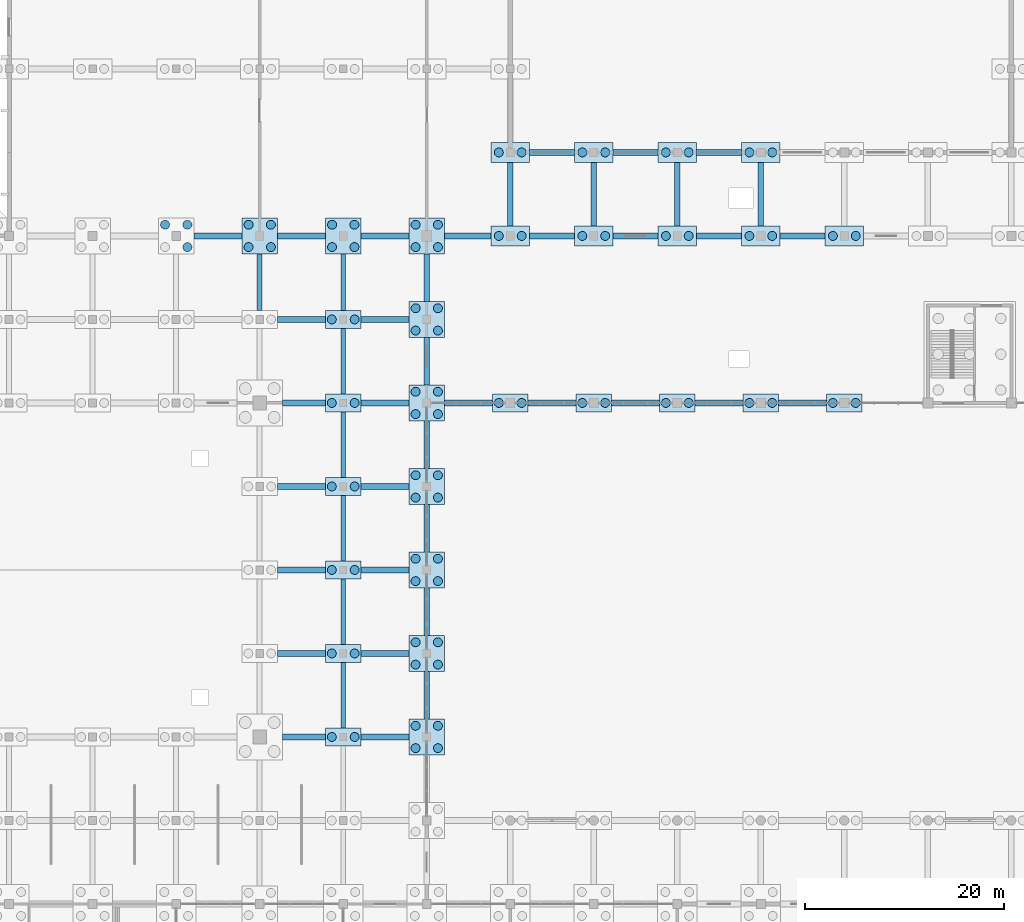
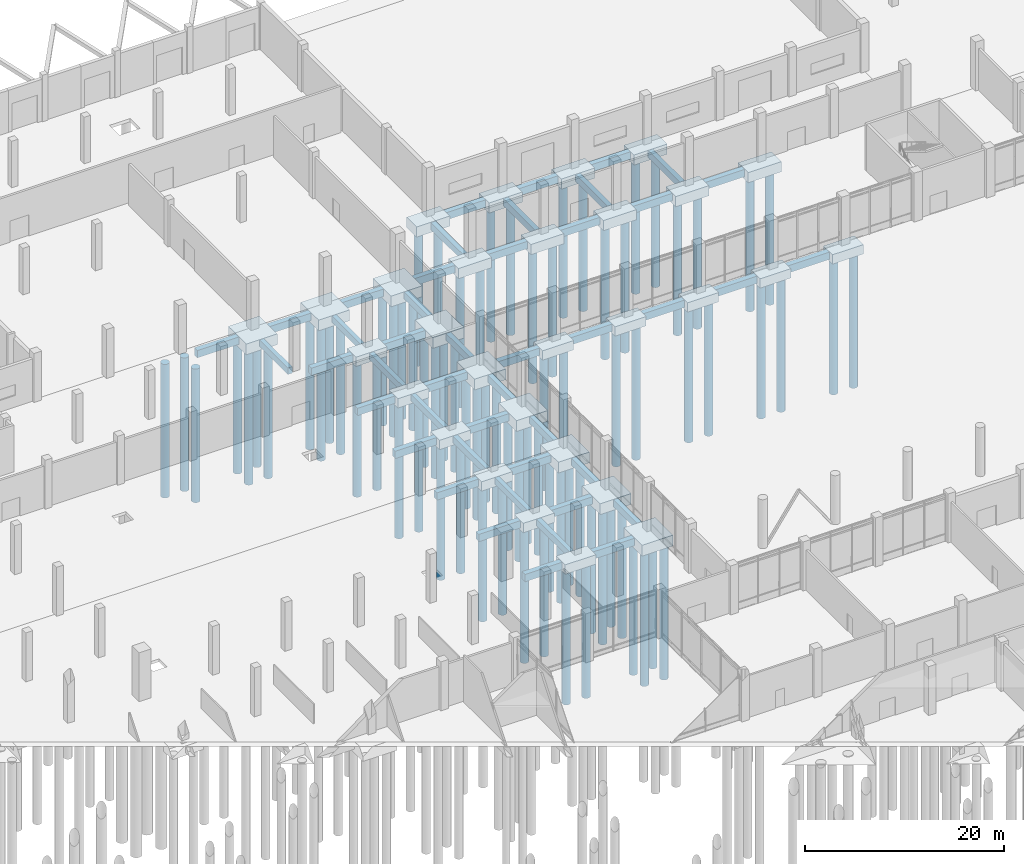
# One storey, part 6 of 72: 79 piles, 74 footings.
"""IFC4 building model written with IfcOpenShell, lengths in metres."""

import ifcopenshell
import ifcopenshell.guid

model = None  # the IFC model being written
_history = None  # IfcOwnerHistory: only IFC2X3 demands one
_inside = {}  # id of a spatial element -> (the spatial element, [elements in it])
_under = {}  # id of a project, library or spatial element -> (it, [spatial elements below it])
_declared = {}  # id of a project -> (the project, [libraries it declares])
_typed = {}  # id of a type object -> (the type object, [elements of that type])
_made_of = {}  # id of a material, layer set ... -> (it, [elements and type objects made of it])


def new_model(schema):
    """Start an empty IFC model of exactly this schema.

    Asked for "IFC4X3", IfcOpenShell would pick the latest addendum, in which some entities
    have other attributes; the version numbers below select the first issue.
    IFC2X3 requires an IfcOwnerHistory on every rooted entity: one is made here for all.
    """
    global model, _history
    if schema == "IFC4X3":
        model = ifcopenshell.file(schema_version=(4, 3, 0, 0))
    else:
        model = ifcopenshell.file(schema=schema)
    _inside.clear()
    _under.clear()
    _declared.clear()
    _typed.clear()
    _made_of.clear()
    _history = None
    if model.schema == "IFC2X3":
        org = make("IfcOrganization", Name="unknown")
        user = make(
            "IfcPersonAndOrganization",
            ThePerson=make("IfcPerson", FamilyName="unknown"),
            TheOrganization=org,
        )
        app = make(
            "IfcApplication",
            ApplicationDeveloper=org,
            Version="unknown",
            ApplicationFullName="unknown",
            ApplicationIdentifier="unknown",
        )
        _history = make(
            "IfcOwnerHistory",
            OwningUser=user,
            OwningApplication=app,
            ChangeAction="ADDED",
            CreationDate=0,
        )
    return model


def make(cls, **values):
    """One entity of the class cls with the attributes given. An attribute that is None is left unset."""
    return model.create_entity(
        cls, **{name: value for name, value in values.items() if value is not None}
    )


def rooted(cls, **values):
    """An entity with a GlobalId (a new one), such as an element, a storey or a relation."""
    return make(cls, GlobalId=ifcopenshell.guid.new(), OwnerHistory=_history, **values)


def si_unit(unit_type, name, prefix=None):
    """IfcSIUnit, for example si_unit("LENGTHUNIT", "METRE", prefix="MILLI")."""
    return make("IfcSIUnit", UnitType=unit_type, Prefix=prefix, Name=name)


def assignment(units):
    """IfcUnitAssignment: the units of a project."""
    return None if units is None else make("IfcUnitAssignment", Units=units)


def point(xyz):
    """IfcCartesianPoint."""
    return None if xyz is None else make("IfcCartesianPoint", Coordinates=xyz)


def direction(xyz):
    """IfcDirection."""
    return None if xyz is None else make("IfcDirection", DirectionRatios=xyz)


def frame(location, z_axis=None, x_axis=None):
    """IfcAxis2Placement3D, a coordinate frame: its origin and axes. An axis left out is left unset."""
    return make(
        "IfcAxis2Placement3D",
        Location=point(location),
        Axis=direction(z_axis),
        RefDirection=direction(x_axis),
    )


def frame_2d(location, x_axis=None):
    """IfcAxis2Placement2D, a coordinate frame in the plane: its origin and x axis."""
    return make(
        "IfcAxis2Placement2D", Location=point(location), RefDirection=direction(x_axis)
    )


def origin():
    """The frame at (0, 0, 0) with its axes left unset."""
    return frame((0.0, 0.0, 0.0))


def origin_2d():
    """The frame at (0, 0) in the plane with its x axis left unset."""
    return frame_2d((0.0, 0.0))


def place(relative_to, where):
    """IfcLocalPlacement: puts the frame where relative to a parent placement (None: the world)."""
    return make(
        "IfcLocalPlacement", PlacementRelTo=relative_to, RelativePlacement=where
    )


def context(
    kind, dimensions, precision=None, world=None, true_north=None, identifier=None
):
    """IfcGeometricRepresentationContext, for example the 3D "Model" context."""
    return make(
        "IfcGeometricRepresentationContext",
        ContextIdentifier=identifier,
        ContextType=kind,
        CoordinateSpaceDimension=dimensions,
        Precision=precision,
        WorldCoordinateSystem=world,
        TrueNorth=true_north,
    )


def subcontext(parent, identifier, kind, view, scale=None):
    """IfcGeometricRepresentationSubContext, for example "Body" below "Model"."""
    return make(
        "IfcGeometricRepresentationSubContext",
        ContextIdentifier=identifier,
        ContextType=kind,
        ParentContext=parent,
        TargetScale=scale,
        TargetView=view,
    )


def project(units=None, contexts=None):
    """IfcProject with its units and contexts."""
    return rooted(
        "IfcProject",
        Name="project",
        RepresentationContexts=contexts,
        UnitsInContext=assignment(units),
    )


def spatial(cls, under=None, at=None, **own):
    """A site, building, storey or space (cls), placed at a placement, below another one or the project."""
    s = rooted(cls, ObjectPlacement=at, **own)
    if under is not None:
        _under.setdefault(under.id(), (under, []))[1].append(s)
    return s


def profile(cls, at=None, kind="AREA", **sizes):
    """A parametric profile (cls). Its sizes go by their IFC names, for example OverallWidth=200.0."""
    return make(cls, ProfileType=kind, Position=at, **sizes)


def rectangle(**sizes):
    """IfcRectangleProfileDef."""
    return profile("IfcRectangleProfileDef", **sizes)


def circle(**sizes):
    """IfcCircleProfileDef."""
    return profile("IfcCircleProfileDef", **sizes)


def extrude(swept, where, along, depth):
    """IfcExtrudedAreaSolid: the profile swept, set in the frame where, extruded along a direction by depth."""
    return make(
        "IfcExtrudedAreaSolid",
        SweptArea=swept,
        Position=where,
        ExtrudedDirection=direction(along),
        Depth=depth,
    )


def shape(context_of_items, identifier, shape_type, items):
    """IfcShapeRepresentation: the items that make up one representation, for example the "Body"."""
    return make(
        "IfcShapeRepresentation",
        ContextOfItems=context_of_items,
        RepresentationIdentifier=identifier,
        RepresentationType=shape_type,
        Items=items,
    )


def material(Name=None, Category=None):
    """IfcMaterial."""
    return make("IfcMaterial", Name=Name, Category=Category)


def layer(
    of_material, thickness, ventilated=None, Name=None, Category=None, Priority=None
):
    """IfcMaterialLayer: one layer of a wall or slab, of a material (None: an air gap)."""
    return make(
        "IfcMaterialLayer",
        Material=of_material,
        LayerThickness=thickness,
        IsVentilated=ventilated,
        Name=Name,
        Category=Category,
        Priority=Priority,
    )


def layer_set(layers, Name=None):
    """IfcMaterialLayerSet."""
    return make("IfcMaterialLayerSet", MaterialLayers=layers, LayerSetName=Name)


def material_profile(
    of_material, cross_section, Name=None, Category=None, Priority=None
):
    """IfcMaterialProfile: a cross section and its material."""
    return make(
        "IfcMaterialProfile",
        Name=Name,
        Material=of_material,
        Profile=cross_section,
        Priority=Priority,
        Category=Category,
    )


def profile_set(profiles, Name=None, composite=None):
    """IfcMaterialProfileSet."""
    return make(
        "IfcMaterialProfileSet",
        Name=Name,
        MaterialProfiles=profiles,
        CompositeProfile=composite,
    )


def made_of(thing, what):
    """Note that an element or type object is made of a material, layer set ...; save() writes the relation."""
    if what is not None:
        _made_of.setdefault(what.id(), (what, []))[1].append(thing)
    return thing


def type_object(cls, material=None, **own):
    """A type object (cls), such as IfcWallType, which elements share."""
    return made_of(rooted(cls, **own), material)


def element(
    cls,
    number,
    at=None,
    inside=None,
    cuts=None,
    type_object=None,
    material=None,
    context=None,
    identifier="Body",
    shape_type=None,
    held_by="IfcProductDefinitionShape",
    body=None,
    shapes=None,
    **own,
):
    """One element of the class cls, such as IfcWall. Its Tag is "e" and its number.

    at: its placement. inside: the storey or other place that contains it. cuts: it is an
    opening in that element (IfcRelVoidsElement). A single representation is given by context,
    identifier, shape_type and body (its items); several are given by shapes. held_by: the class
    of the entity that holds the representations. save() writes the other relations.
    """
    e = rooted(cls, Tag="e%d" % number, ObjectPlacement=at, **own)
    if body is not None:
        shapes = [shape(context, identifier, shape_type, body)]
    if shapes is not None:
        e.Representation = make(held_by, Representations=shapes)
    if inside is not None:
        _inside.setdefault(inside.id(), (inside, []))[1].append(e)
    if cuts is not None:
        rooted(
            "IfcRelVoidsElement", RelatingBuildingElement=cuts, RelatedOpeningElement=e
        )
    if type_object is not None:
        _typed.setdefault(type_object.id(), (type_object, []))[1].append(e)
    return made_of(e, material)


def aggregate(whole, parts):
    """IfcRelAggregates: a whole, such as a stair, and the parts it consists of."""
    return rooted("IfcRelAggregates", RelatingObject=whole, RelatedObjects=parts)


def save(model, path):
    """Write the relations noted so far, then the file.

    IfcRelAggregates (storeys below a building ...), IfcRelContainedInSpatialStructure (elements
    in a storey), IfcRelDefinesByType, IfcRelAssociatesMaterial and IfcRelDeclares: one each for
    every whole, place, type object, material and project.
    """
    for whole, parts in _under.values():
        aggregate(whole, parts)
    for where, things in _inside.values():
        rooted(
            "IfcRelContainedInSpatialStructure",
            RelatedElements=things,
            RelatingStructure=where,
        )
    for kind, things in _typed.values():
        rooted("IfcRelDefinesByType", RelatedObjects=things, RelatingType=kind)
    for what, things in _made_of.values():
        rooted("IfcRelAssociatesMaterial", RelatedObjects=things, RelatingMaterial=what)
    for by, libraries in _declared.values():
        rooted("IfcRelDeclares", RelatingContext=by, RelatedDefinitions=libraries)
    model.write(path)


model = new_model("IFC4")

# Units and contexts
model_context = context("Model", 3, precision=1e-05, world=origin(), true_north=direction((0.0, 1.0)))
body_context = subcontext(model_context, "Body", "Model", "MODEL_VIEW")
ifc_project = project(units=[si_unit("LENGTHUNIT", "METRE"), si_unit("AREAUNIT", "SQUARE_METRE"), si_unit("VOLUMEUNIT", "CUBIC_METRE"), si_unit("PLANEANGLEUNIT", "RADIAN"), si_unit("MASSUNIT", "GRAM", prefix="KILO")], contexts=[model_context])

# Site, building, storey
site_placement = place(None, origin())
site = spatial("IfcSite", under=ifc_project, at=site_placement, CompositionType="ELEMENT")
building_placement = place(site_placement, origin())
building = spatial("IfcBuilding", under=site, at=building_placement, Name="Qawsi Khor Wholesale Market", CompositionType="ELEMENT")
storey_placement = place(building_placement, origin())
storey = spatial("IfcBuildingStorey", under=building, at=storey_placement, Name="L00", CompositionType="ELEMENT", Elevation=0.0)

# Piles
ifc_material = material(Name="Concrete C45/55", Category="concrete")
ifc_material_profile_1 = material_profile(ifc_material, circle(Radius=0.449951171875, at=origin_2d()), Name="PILE D900")
ifc_profile_set_1 = profile_set([ifc_material_profile_1], Name="Concrete C45/55")
pile_type = type_object("IfcPileType", Name="Bored Pile D900 C45/55", PredefinedType="BORED", material=ifc_profile_set_1)
for number, where, z_axis, x_axis, name in (
    (1, (51.52490234375, 108.074951171875, -1.610107421875), (0.0, 0.0, -1.0), (1.0, 0.0, 0.0), "Bored pile 06_+13-2"),
    (2, (49.27490234375, 110.324951171875, -1.610107421875), (0.0, 0.0, -1.0), (1.0, 0.0, 0.0), "Bored pile 06_+13-3"),
    (3, (51.52490234375, 110.324951171875, -1.610107421875), (0.0, 0.0, -1.0), (1.0, 0.0, 0.0), "Bored pile 06_+13-4"),
    (4, (57.675048828125, 108.074951171875, -1.610107421875), (0.0, 0.0, -1.0), (1.0, 0.0, 0.0), "Bored pile 07_+13-1"),
    (5, (59.925048828125, 108.074951171875, -1.610107421875), (0.0, 0.0, -1.0), (1.0, 0.0, 0.0), "Bored pile 07_+13-2"),
    (6, (57.675048828125, 110.324951171875, -1.610107421875), (0.0, 0.0, -1.0), (1.0, 0.0, 0.0), "Bored pile 07_+13-3"),
    (7, (59.925048828125, 110.324951171875, -1.610107421875), (0.0, 0.0, -1.0), (1.0, 0.0, 0.0), "Bored pile 07_+13-4"),
):
    element("IfcPile", number, at=place(storey_placement, frame(where, z_axis=z_axis, x_axis=x_axis)), inside=storey, type_object=pile_type, Name=name, PredefinedType="BORED", context=body_context, shape_type="SweptSolid", body=[
        extrude(circle(Radius=0.449951171875, at=origin_2d()), origin(), (0.0, 0.0, 1.0), 16.389892578125),
    ])
for number, where, z_axis, x_axis, name in (
    (8, (66.050048828125, 58.800048828125, -1.5), (0.0, 0.0, -1.0), (1.0, 0.0, 0.0), "Bored pile 08_+07-1"),
    (9, (68.35009765625, 58.800048828125, -1.5), (0.0, 0.0, -1.0), (1.0, 0.0, 0.0), "Bored pile 08_+07-2"),
    (10, (66.050048828125, 67.199951171875, -1.5), (0.0, 0.0, -1.0), (1.0, 0.0, 0.0), "Bored pile 08_+08-1"),
    (11, (68.35009765625, 67.199951171875, -1.5), (0.0, 0.0, -1.0), (1.0, 0.0, 0.0), "Bored pile 08_+08-2"),
    (12, (66.050048828125, 75.60009765625, -1.5), (0.0, 0.0, -1.0), (1.0, 0.0, 0.0), "Bored pile 08_+09-1"),
    (13, (68.35009765625, 75.60009765625, -1.5), (0.0, 0.0, -1.0), (1.0, 0.0, 0.0), "Bored pile 08_+09-2"),
    (14, (66.050048828125, 84.0, -1.5), (0.0, 0.0, -1.0), (1.0, 0.0, 0.0), "Bored pile 08_+10-1"),
    (15, (68.35009765625, 84.0, -1.5), (0.0, 0.0, -1.0), (1.0, 0.0, 0.0), "Bored pile 08_+10-2"),
    (16, (66.050048828125, 92.39990234375, -1.5), (0.0, 0.0, -1.0), (1.0, 0.0, 0.0), "Bored pile 08_+11-1"),
    (17, (68.35009765625, 92.39990234375, -1.5), (0.0, 0.0, -1.0), (1.0, 0.0, 0.0), "Bored pile 08_+11-2"),
    (18, (66.050048828125, 100.800048828125, -1.5), (0.0, 0.0, -1.0), (1.0, 0.0, 0.0), "Bored pile 08_+12-1"),
    (19, (68.35009765625, 100.800048828125, -1.5), (0.0, 0.0, -1.0), (1.0, 0.0, 0.0), "Bored pile 08_+12-2"),
):
    element("IfcPile", number, at=place(storey_placement, frame(where, z_axis=z_axis, x_axis=x_axis)), inside=storey, type_object=pile_type, Name=name, PredefinedType="BORED", context=body_context, shape_type="SweptSolid", body=[
        extrude(circle(Radius=0.449951171875, at=origin_2d()), origin(), (0.0, 0.0, 1.0), 16.5),
    ])
for number, where, z_axis, x_axis, name in (
    (20, (66.074951171875, 108.074951171875, -1.610107421875), (0.0, 0.0, -1.0), (1.0, 0.0, 0.0), "Bored pile 08_+13-1"),
    (21, (68.324951171875, 108.074951171875, -1.610107421875), (0.0, 0.0, -1.0), (1.0, 0.0, 0.0), "Bored pile 08_+13-2"),
    (22, (66.074951171875, 110.324951171875, -1.610107421875), (0.0, 0.0, -1.0), (1.0, 0.0, 0.0), "Bored pile 08_+13-3"),
    (23, (68.324951171875, 110.324951171875, -1.610107421875), (0.0, 0.0, -1.0), (1.0, 0.0, 0.0), "Bored pile 08_+13-4"),
    (24, (74.47509765625, 57.675048828125, -1.610107421875), (0.0, 0.0, -1.0), (1.0, 0.0, 0.0), "Bored pile 09_+07-1"),
    (25, (76.72509765625, 57.675048828125, -1.610107421875), (0.0, 0.0, -1.0), (1.0, 0.0, 0.0), "Bored pile 09_+07-2"),
    (26, (74.47509765625, 59.925048828125, -1.610107421875), (0.0, 0.0, -1.0), (1.0, 0.0, 0.0), "Bored pile 09_+07-3"),
    (27, (76.72509765625, 59.925048828125, -1.610107421875), (0.0, 0.0, -1.0), (1.0, 0.0, 0.0), "Bored pile 09_+07-4"),
    (28, (74.47509765625, 66.074951171875, -1.610107421875), (0.0, 0.0, -1.0), (1.0, 0.0, 0.0), "Bored pile 09_+08-1"),
    (29, (76.72509765625, 66.074951171875, -1.610107421875), (0.0, 0.0, -1.0), (1.0, 0.0, 0.0), "Bored pile 09_+08-2"),
    (30, (74.47509765625, 68.324951171875, -1.610107421875), (0.0, 0.0, -1.0), (1.0, 0.0, 0.0), "Bored pile 09_+08-3"),
    (31, (76.72509765625, 68.324951171875, -1.610107421875), (0.0, 0.0, -1.0), (1.0, 0.0, 0.0), "Bored pile 09_+08-4"),
    (32, (74.47509765625, 74.47509765625, -1.610107421875), (0.0, 0.0, -1.0), (1.0, 0.0, 0.0), "Bored pile 09_+09-1"),
    (33, (76.72509765625, 74.47509765625, -1.610107421875), (0.0, 0.0, -1.0), (1.0, 0.0, 0.0), "Bored pile 09_+09-2"),
    (34, (74.47509765625, 76.72509765625, -1.610107421875), (0.0, 0.0, -1.0), (1.0, 0.0, 0.0), "Bored pile 09_+09-3"),
    (35, (76.72509765625, 76.72509765625, -1.610107421875), (0.0, 0.0, -1.0), (1.0, 0.0, 0.0), "Bored pile 09_+09-4"),
    (36, (74.47509765625, 82.875, -1.610107421875), (0.0, 0.0, -1.0), (1.0, 0.0, 0.0), "Bored pile 09_+10-1"),
    (37, (76.72509765625, 82.875, -1.610107421875), (0.0, 0.0, -1.0), (1.0, 0.0, 0.0), "Bored pile 09_+10-2"),
    (38, (74.47509765625, 85.125, -1.610107421875), (0.0, 0.0, -1.0), (1.0, 0.0, 0.0), "Bored pile 09_+10-3"),
    (39, (76.72509765625, 85.125, -1.610107421875), (0.0, 0.0, -1.0), (1.0, 0.0, 0.0), "Bored pile 09_+10-4"),
    (40, (74.47509765625, 91.27490234375, -1.610107421875), (0.0, 0.0, -1.0), (1.0, 0.0, 0.0), "Bored pile 09_+11-1"),
    (41, (76.72509765625, 91.27490234375, -1.610107421875), (0.0, 0.0, -1.0), (1.0, 0.0, 0.0), "Bored pile 09_+11-2"),
    (42, (74.47509765625, 93.52490234375, -1.610107421875), (0.0, 0.0, -1.0), (1.0, 0.0, 0.0), "Bored pile 09_+11-3"),
    (43, (76.72509765625, 93.52490234375, -1.610107421875), (0.0, 0.0, -1.0), (1.0, 0.0, 0.0), "Bored pile 09_+11-4"),
    (44, (74.47509765625, 99.675048828125, -1.610107421875), (0.0, 0.0, -1.0), (1.0, 0.0, 0.0), "Bored pile 09_+12-1"),
    (45, (76.72509765625, 99.675048828125, -1.610107421875), (0.0, 0.0, -1.0), (1.0, 0.0, 0.0), "Bored pile 09_+12-2"),
    (46, (74.47509765625, 101.925048828125, -1.610107421875), (0.0, 0.0, -1.0), (1.0, 0.0, 0.0), "Bored pile 09_+12-3"),
    (47, (76.72509765625, 101.925048828125, -1.610107421875), (0.0, 0.0, -1.0), (1.0, 0.0, 0.0), "Bored pile 09_+12-4"),
    (48, (74.47509765625, 108.074951171875, -1.610107421875), (0.0, 0.0, -1.0), (1.0, 0.0, 0.0), "Bored pile 09_+13-1"),
    (49, (76.72509765625, 108.074951171875, -1.610107421875), (0.0, 0.0, -1.0), (1.0, 0.0, 0.0), "Bored pile 09_+13-2"),
    (50, (74.47509765625, 110.324951171875, -1.610107421875), (0.0, 0.0, -1.0), (1.0, 0.0, 0.0), "Bored pile 09_+13-3"),
    (51, (76.72509765625, 110.324951171875, -1.610107421875), (0.0, 0.0, -1.0), (1.0, 0.0, 0.0), "Bored pile 09_+13-4"),
):
    element("IfcPile", number, at=place(storey_placement, frame(where, z_axis=z_axis, x_axis=x_axis)), inside=storey, type_object=pile_type, Name=name, PredefinedType="BORED", context=body_context, shape_type="SweptSolid", body=[
        extrude(circle(Radius=0.449951171875, at=origin_2d()), origin(), (0.0, 0.0, 1.0), 16.389892578125),
    ])
for number, where, z_axis, x_axis, name in (
    (52, (82.85009765625, 92.39990234375, -1.5), (0.0, 0.0, -1.0), (1.0, 0.0, 0.0), "Bored pile 10_+11-1"),
    (53, (85.14990234375, 92.39990234375, -1.5), (0.0, 0.0, -1.0), (1.0, 0.0, 0.0), "Bored pile 10_+11-2"),
    (54, (82.85009765625, 109.199951171875, -1.5), (0.0, 0.0, -1.0), (1.0, 0.0, 0.0), "Bored pile 10_+13-1"),
    (55, (85.14990234375, 109.199951171875, -1.5), (0.0, 0.0, -1.0), (1.0, 0.0, 0.0), "Bored pile 10_+13-2"),
    (56, (82.85009765625, 117.60009765625, -1.5), (0.0, 0.0, -1.0), (1.0, 0.0, 0.0), "Bored pile 10_+14-1"),
    (57, (85.14990234375, 117.60009765625, -1.5), (0.0, 0.0, -1.0), (1.0, 0.0, 0.0), "Bored pile 10_+14-2"),
    (58, (91.25, 92.39990234375, -1.5), (0.0, 0.0, -1.0), (1.0, 0.0, 0.0), "Bored pile 11_+11-1"),
    (59, (93.550048828125, 92.39990234375, -1.5), (0.0, 0.0, -1.0), (1.0, 0.0, 0.0), "Bored pile 11_+11-2"),
    (60, (91.25, 109.199951171875, -1.5), (0.0, 0.0, -1.0), (1.0, 0.0, 0.0), "Bored pile 11_+13-1"),
    (61, (93.550048828125, 109.199951171875, -1.5), (0.0, 0.0, -1.0), (1.0, 0.0, 0.0), "Bored pile 11_+13-2"),
    (62, (91.25, 117.60009765625, -1.5), (0.0, 0.0, -1.0), (1.0, 0.0, 0.0), "Bored pile 11_+14-1"),
    (63, (93.550048828125, 117.60009765625, -1.5), (0.0, 0.0, -1.0), (1.0, 0.0, 0.0), "Bored pile 11_+14-2"),
    (64, (99.64990234375, 92.39990234375, -1.5), (0.0, 0.0, -1.0), (1.0, 0.0, 0.0), "Bored pile 12_+11-1"),
    (65, (101.949951171875, 92.39990234375, -1.5), (0.0, 0.0, -1.0), (1.0, 0.0, 0.0), "Bored pile 12_+11-2"),
    (66, (99.64990234375, 109.199951171875, -1.5), (0.0, 0.0, -1.0), (1.0, 0.0, 0.0), "Bored pile 12_+13-1"),
    (67, (101.949951171875, 109.199951171875, -1.5), (0.0, 0.0, -1.0), (1.0, 0.0, 0.0), "Bored pile 12_+13-2"),
    (68, (99.64990234375, 117.60009765625, -1.5), (0.0, 0.0, -1.0), (1.0, 0.0, 0.0), "Bored pile 12_+14-1"),
    (69, (101.949951171875, 117.60009765625, -1.5), (0.0, 0.0, -1.0), (1.0, 0.0, 0.0), "Bored pile 12_+14-2"),
    (70, (108.050048828125, 92.39990234375, -1.5), (0.0, 0.0, -1.0), (1.0, 0.0, 0.0), "Bored pile 13_+11-1"),
    (71, (110.35009765625, 92.39990234375, -1.5), (0.0, 0.0, -1.0), (1.0, 0.0, 0.0), "Bored pile 13_+11-2"),
    (72, (108.050048828125, 109.199951171875, -1.5), (0.0, 0.0, -1.0), (1.0, 0.0, 0.0), "Bored pile 13_+13-1"),
    (73, (110.35009765625, 109.199951171875, -1.5), (0.0, 0.0, -1.0), (1.0, 0.0, 0.0), "Bored pile 13_+13-2"),
    (74, (108.050048828125, 117.60009765625, -1.5), (0.0, 0.0, -1.0), (1.0, 0.0, 0.0), "Bored pile 13_+14-1"),
    (75, (110.35009765625, 117.60009765625, -1.5), (0.0, 0.0, -1.0), (1.0, 0.0, 0.0), "Bored pile 13_+14-2"),
    (76, (116.449951171875, 92.39990234375, -1.5), (0.0, 0.0, -1.0), (1.0, 0.0, 0.0), "Bored pile 14_+11-1"),
    (77, (118.75, 92.39990234375, -1.5), (0.0, 0.0, -1.0), (1.0, 0.0, 0.0), "Bored pile 14_+11-2"),
    (78, (116.449951171875, 109.199951171875, -1.5), (0.0, 0.0, -1.0), (1.0, 0.0, 0.0), "Bored pile 14_+13-1"),
    (79, (118.75, 109.199951171875, -1.5), (0.0, 0.0, -1.0), (1.0, 0.0, 0.0), "Bored pile 14_+13-2"),
):
    element("IfcPile", number, at=place(storey_placement, frame(where, z_axis=z_axis, x_axis=x_axis)), inside=storey, type_object=pile_type, Name=name, PredefinedType="BORED", context=body_context, shape_type="SweptSolid", body=[
        extrude(circle(Radius=0.449951171875, at=origin_2d()), origin(), (0.0, 0.0, 1.0), 16.5),
    ])

# Footings
ifc_material_profile_2 = material_profile(ifc_material, rectangle(XDim=0.60009765625, YDim=0.89990234375, at=origin_2d()), Name="RC 600x900")
ifc_profile_set_2 = profile_set([ifc_material_profile_2], Name="Concrete C45/55")
footing_type_1 = type_object("IfcFootingType", Name="Ground Tie-Beam GTB 600x900", PredefinedType="FOOTING_BEAM", material=ifc_profile_set_2)
footing_1_placement = place(storey_placement, frame((52.199951171875, 109.199951171875, -0.840087890625), z_axis=(1.0, 0.0, 0.0), x_axis=(0.0, 1.0, 0.0)))
element("IfcFooting", 80, at=footing_1_placement, inside=storey, type_object=footing_type_1, Name="Ground tie-beam X 6-7 at Y=109.2", PredefinedType="FOOTING_BEAM", context=body_context, shape_type="SweptSolid", body=[
    extrude(rectangle(XDim=0.60009765625, YDim=0.89990234375, at=origin_2d()), origin(), (0.0, 0.0, 1.0), 4.800048828125),
])
footing_2_placement = place(storey_placement, frame((61.10009765625, 58.800048828125, -0.840087890625), z_axis=(1.0, 0.0, 0.0), x_axis=(0.0, 1.0, 0.0)))
element("IfcFooting", 81, at=footing_2_placement, inside=storey, type_object=footing_type_1, Name="Ground tie-beam X 7-8 at Y=58.8", PredefinedType="FOOTING_BEAM", context=body_context, shape_type="SweptSolid", body=[
    extrude(rectangle(XDim=0.60009765625, YDim=0.89990234375, at=origin_2d()), origin(), (0.0, 0.0, 1.0), 4.2998046875),
])
for number, where, z_axis, x_axis, name in (
    (82, (60.60009765625, 67.199951171875, -0.840087890625), (1.0, 0.0, 0.0), (0.0, 1.0, 0.0), "Ground tie-beam X 7-8 at Y=67.2"),
    (83, (60.60009765625, 75.60009765625, -0.840087890625), (1.0, 0.0, 0.0), (0.0, 1.0, 0.0), "Ground tie-beam X 7-8 at Y=75.6"),
    (84, (60.60009765625, 84.0, -0.840087890625), (1.0, 0.0, 0.0), (0.0, 1.0, 0.0), "Ground tie-beam X 7-8 at Y=84.0"),
):
    element("IfcFooting", number, at=place(storey_placement, frame(where, z_axis=z_axis, x_axis=x_axis)), inside=storey, type_object=footing_type_1, Name=name, PredefinedType="FOOTING_BEAM", context=body_context, shape_type="SweptSolid", body=[
        extrude(rectangle(XDim=0.60009765625, YDim=0.89990234375, at=origin_2d()), origin(), (0.0, 0.0, 1.0), 4.7998046875),
    ])
footing_3_placement = place(storey_placement, frame((61.10009765625, 92.39990234375, -0.840087890625), z_axis=(1.0, 0.0, 0.0), x_axis=(0.0, 1.0, 0.0)))
element("IfcFooting", 85, at=footing_3_placement, inside=storey, type_object=footing_type_1, Name="Ground tie-beam X 7-8 at Y=92.4", PredefinedType="FOOTING_BEAM", context=body_context, shape_type="SweptSolid", body=[
    extrude(rectangle(XDim=0.60009765625, YDim=0.89990234375, at=origin_2d()), origin(), (0.0, 0.0, 1.0), 4.2998046875),
])
for number, where, z_axis, x_axis, name in (
    (86, (60.60009765625, 100.800048828125, -0.840087890625), (1.0, 0.0, 0.0), (0.0, 1.0, 0.0), "Ground tie-beam X 7-8 at Y=100.8"),
    (87, (60.60009765625, 109.199951171875, -0.840087890625), (1.0, 0.0, 0.0), (0.0, 1.0, 0.0), "Ground tie-beam X 7-8 at Y=109.2"),
):
    element("IfcFooting", number, at=place(storey_placement, frame(where, z_axis=z_axis, x_axis=x_axis)), inside=storey, type_object=footing_type_1, Name=name, PredefinedType="FOOTING_BEAM", context=body_context, shape_type="SweptSolid", body=[
        extrude(rectangle(XDim=0.60009765625, YDim=0.89990234375, at=origin_2d()), origin(), (0.0, 0.0, 1.0), 4.7998046875),
    ])
for number, where, z_axis, x_axis, name in (
    (88, (69.0, 58.800048828125, -0.840087890625), (1.0, 0.0, 0.0), (0.0, 1.0, 0.0), "Ground tie-beam X 8-9 at Y=58.8"),
    (89, (69.0, 67.199951171875, -0.840087890625), (1.0, 0.0, 0.0), (0.0, 1.0, 0.0), "Ground tie-beam X 8-9 at Y=67.2"),
    (90, (69.0, 75.60009765625, -0.840087890625), (1.0, 0.0, 0.0), (0.0, 1.0, 0.0), "Ground tie-beam X 8-9 at Y=75.6"),
    (91, (69.0, 84.0, -0.840087890625), (1.0, 0.0, 0.0), (0.0, 1.0, 0.0), "Ground tie-beam X 8-9 at Y=84.0"),
    (92, (69.0, 92.39990234375, -0.840087890625), (1.0, 0.0, 0.0), (0.0, 1.0, 0.0), "Ground tie-beam X 8-9 at Y=92.4"),
    (93, (69.0, 100.800048828125, -0.840087890625), (1.0, 0.0, 0.0), (0.0, 1.0, 0.0), "Ground tie-beam X 8-9 at Y=100.8"),
    (94, (69.0, 109.199951171875, -0.840087890625), (1.0, 0.0, 0.0), (0.0, 1.0, 0.0), "Ground tie-beam X 8-9 at Y=109.2"),
    (95, (77.39990234375, 92.39990234375, -0.840087890625), (1.0, 0.0, 0.0), (0.0, 1.0, 0.0), "Ground tie-beam X 9-10 at Y=92.4"),
):
    element("IfcFooting", number, at=place(storey_placement, frame(where, z_axis=z_axis, x_axis=x_axis)), inside=storey, type_object=footing_type_1, Name=name, PredefinedType="FOOTING_BEAM", context=body_context, shape_type="SweptSolid", body=[
        extrude(rectangle(XDim=0.60009765625, YDim=0.89990234375, at=origin_2d()), origin(), (0.0, 0.0, 1.0), 4.800048828125),
    ])
footing_4_placement = place(storey_placement, frame((77.39990234375, 109.199951171875, -0.840087890625), z_axis=(1.0, 0.0, 0.0), x_axis=(0.0, 1.0, 0.0)))
element("IfcFooting", 96, at=footing_4_placement, inside=storey, type_object=footing_type_1, Name="Ground tie-beam X 9-10 at Y=109.2", PredefinedType="FOOTING_BEAM", context=body_context, shape_type="SweptSolid", body=[
    extrude(rectangle(XDim=0.60009765625, YDim=0.89990234375, at=origin_2d()), origin(), (0.0, 0.0, 1.0), 4.675048828125),
])
footing_5_placement = place(storey_placement, frame((85.800048828125, 92.39990234375, -0.840087890625), z_axis=(1.0, 0.0, 0.0), x_axis=(0.0, 1.0, 0.0)))
element("IfcFooting", 97, at=footing_5_placement, inside=storey, type_object=footing_type_1, Name="Ground tie-beam X 10-11 at Y=92.4", PredefinedType="FOOTING_BEAM", context=body_context, shape_type="SweptSolid", body=[
    extrude(rectangle(XDim=0.60009765625, YDim=0.89990234375, at=origin_2d()), origin(), (0.0, 0.0, 1.0), 4.800048828125),
])
for number, where, z_axis, x_axis, name in (
    (98, (85.925048828125, 109.199951171875, -0.840087890625), (1.0, 0.0, 0.0), (0.0, 1.0, 0.0), "Ground tie-beam X 10-11 at Y=109.2"),
    (99, (85.925048828125, 117.60009765625, -0.840087890625), (1.0, 0.0, 0.0), (0.0, 1.0, 0.0), "Ground tie-beam X 10-11 at Y=117.6"),
):
    element("IfcFooting", number, at=place(storey_placement, frame(where, z_axis=z_axis, x_axis=x_axis)), inside=storey, type_object=footing_type_1, Name=name, PredefinedType="FOOTING_BEAM", context=body_context, shape_type="SweptSolid", body=[
        extrude(rectangle(XDim=0.60009765625, YDim=0.89990234375, at=origin_2d()), origin(), (0.0, 0.0, 1.0), 4.550048828125),
    ])
footing_6_placement = place(storey_placement, frame((94.199951171875, 92.39990234375, -0.840087890625), z_axis=(1.0, 0.0, 0.0), x_axis=(0.0, 1.0, 0.0)))
element("IfcFooting", 100, at=footing_6_placement, inside=storey, type_object=footing_type_1, Name="Ground tie-beam X 11-12 at Y=92.4", PredefinedType="FOOTING_BEAM", context=body_context, shape_type="SweptSolid", body=[
    extrude(rectangle(XDim=0.60009765625, YDim=0.89990234375, at=origin_2d()), origin(), (0.0, 0.0, 1.0), 4.800048828125),
])
for number, where, z_axis, x_axis, name in (
    (101, (94.324951171875, 109.199951171875, -0.840087890625), (1.0, 0.0, 0.0), (0.0, 1.0, 0.0), "Ground tie-beam X 11-12 at Y=109.2"),
    (102, (94.324951171875, 117.60009765625, -0.840087890625), (1.0, 0.0, 0.0), (0.0, 1.0, 0.0), "Ground tie-beam X 11-12 at Y=117.6"),
):
    element("IfcFooting", number, at=place(storey_placement, frame(where, z_axis=z_axis, x_axis=x_axis)), inside=storey, type_object=footing_type_1, Name=name, PredefinedType="FOOTING_BEAM", context=body_context, shape_type="SweptSolid", body=[
        extrude(rectangle(XDim=0.60009765625, YDim=0.89990234375, at=origin_2d()), origin(), (0.0, 0.0, 1.0), 4.550048828125),
    ])
footing_7_placement = place(storey_placement, frame((102.60009765625, 92.39990234375, -0.840087890625), z_axis=(1.0, 0.0, 0.0), x_axis=(0.0, 1.0, 0.0)))
element("IfcFooting", 103, at=footing_7_placement, inside=storey, type_object=footing_type_1, Name="Ground tie-beam X 12-13 at Y=92.4", PredefinedType="FOOTING_BEAM", context=body_context, shape_type="SweptSolid", body=[
    extrude(rectangle(XDim=0.60009765625, YDim=0.89990234375, at=origin_2d()), origin(), (0.0, 0.0, 1.0), 4.7998046875),
])
for number, where, z_axis, x_axis, name in (
    (104, (102.72509765625, 109.199951171875, -0.840087890625), (1.0, 0.0, 0.0), (0.0, 1.0, 0.0), "Ground tie-beam X 12-13 at Y=109.2"),
    (105, (102.72509765625, 117.60009765625, -0.840087890625), (1.0, 0.0, 0.0), (0.0, 1.0, 0.0), "Ground tie-beam X 12-13 at Y=117.6"),
):
    element("IfcFooting", number, at=place(storey_placement, frame(where, z_axis=z_axis, x_axis=x_axis)), inside=storey, type_object=footing_type_1, Name=name, PredefinedType="FOOTING_BEAM", context=body_context, shape_type="SweptSolid", body=[
        extrude(rectangle(XDim=0.60009765625, YDim=0.89990234375, at=origin_2d()), origin(), (0.0, 0.0, 1.0), 4.5498046875),
    ])
footing_8_placement = place(storey_placement, frame((111.0, 92.39990234375, -0.840087890625), z_axis=(1.0, 0.0, 0.0), x_axis=(0.0, 1.0, 0.0)))
element("IfcFooting", 106, at=footing_8_placement, inside=storey, type_object=footing_type_1, Name="Ground tie-beam X 13-14 at Y=92.4", PredefinedType="FOOTING_BEAM", context=body_context, shape_type="SweptSolid", body=[
    extrude(rectangle(XDim=0.60009765625, YDim=0.89990234375, at=origin_2d()), origin(), (0.0, 0.0, 1.0), 4.800048828125),
])
footing_9_placement = place(storey_placement, frame((111.125, 109.199951171875, -0.840087890625), z_axis=(1.0, 0.0, 0.0), x_axis=(0.0, 1.0, 0.0)))
element("IfcFooting", 107, at=footing_9_placement, inside=storey, type_object=footing_type_1, Name="Ground tie-beam X 13-14 at Y=109.2", PredefinedType="FOOTING_BEAM", context=body_context, shape_type="SweptSolid", body=[
    extrude(rectangle(XDim=0.60009765625, YDim=0.89990234375, at=origin_2d()), origin(), (0.0, 0.0, 1.0), 4.550048828125),
])
ifc_material_profile_3 = material_profile(ifc_material, rectangle(XDim=0.5, YDim=0.800048828125, at=origin_2d()), Name="RC 500x800")
ifc_profile_set_3 = profile_set([ifc_material_profile_3], Name="Concrete C45/55")
footing_type_2 = type_object("IfcFootingType", Name="Hall Tie-Beam GTB 500x800", PredefinedType="FOOTING_BEAM", material=ifc_profile_set_3)
footing_10_placement = place(storey_placement, frame((58.800048828125, 101.699951171875, -0.7900390625), z_axis=(0.0, 1.0, 0.0), x_axis=(-1.0, 0.0, 0.0)))
element("IfcFooting", 108, at=footing_10_placement, inside=storey, type_object=footing_type_2, Name="Ground tie-beam Y 12-13 at X=58.8", PredefinedType="FOOTING_BEAM", context=body_context, shape_type="SweptSolid", body=[
    extrude(rectangle(XDim=0.5, YDim=0.800048828125, at=origin_2d()), origin(), (0.0, 0.0, 1.0), 5.699951171875),
])
footing_11_placement = place(storey_placement, frame((67.199951171875, 59.699951171875, -0.7900390625), z_axis=(0.0, 1.0, 0.0), x_axis=(-1.0, 0.0, 0.0)))
element("IfcFooting", 109, at=footing_11_placement, inside=storey, type_object=footing_type_2, Name="Ground tie-beam Y 7-8 at X=67.2", PredefinedType="FOOTING_BEAM", context=body_context, shape_type="SweptSolid", body=[
    extrude(rectangle(XDim=0.5, YDim=0.800048828125, at=origin_2d()), origin(), (0.0, 0.0, 1.0), 6.60009765625),
])
footing_12_placement = place(storey_placement, frame((67.199951171875, 68.10009765625, -0.7900390625), z_axis=(0.0, 1.0, 0.0), x_axis=(-1.0, 0.0, 0.0)))
element("IfcFooting", 110, at=footing_12_placement, inside=storey, type_object=footing_type_2, Name="Ground tie-beam Y 8-9 at X=67.2", PredefinedType="FOOTING_BEAM", context=body_context, shape_type="SweptSolid", body=[
    extrude(rectangle(XDim=0.5, YDim=0.800048828125, at=origin_2d()), origin(), (0.0, 0.0, 1.0), 6.599853515625),
])
for number, where, z_axis, x_axis, name in (
    (111, (67.199951171875, 76.5, -0.7900390625), (0.0, 1.0, 0.0), (-1.0, 0.0, 0.0), "Ground tie-beam Y 9-10 at X=67.2"),
    (112, (67.199951171875, 84.89990234375, -0.7900390625), (0.0, 1.0, 0.0), (-1.0, 0.0, 0.0), "Ground tie-beam Y 10-11 at X=67.2"),
):
    element("IfcFooting", number, at=place(storey_placement, frame(where, z_axis=z_axis, x_axis=x_axis)), inside=storey, type_object=footing_type_2, Name=name, PredefinedType="FOOTING_BEAM", context=body_context, shape_type="SweptSolid", body=[
        extrude(rectangle(XDim=0.5, YDim=0.800048828125, at=origin_2d()), origin(), (0.0, 0.0, 1.0), 6.60009765625),
    ])
footing_13_placement = place(storey_placement, frame((67.199951171875, 93.300048828125, -0.7900390625), z_axis=(0.0, 1.0, 0.0), x_axis=(-1.0, 0.0, 0.0)))
element("IfcFooting", 113, at=footing_13_placement, inside=storey, type_object=footing_type_2, Name="Ground tie-beam Y 11-12 at X=67.2", PredefinedType="FOOTING_BEAM", context=body_context, shape_type="SweptSolid", body=[
    extrude(rectangle(XDim=0.5, YDim=0.800048828125, at=origin_2d()), origin(), (0.0, 0.0, 1.0), 6.599853515625),
])
footing_14_placement = place(storey_placement, frame((67.199951171875, 101.699951171875, -0.7900390625), z_axis=(0.0, 1.0, 0.0), x_axis=(-1.0, 0.0, 0.0)))
element("IfcFooting", 114, at=footing_14_placement, inside=storey, type_object=footing_type_2, Name="Ground tie-beam Y 12-13 at X=67.2", PredefinedType="FOOTING_BEAM", context=body_context, shape_type="SweptSolid", body=[
    extrude(rectangle(XDim=0.5, YDim=0.800048828125, at=origin_2d()), origin(), (0.0, 0.0, 1.0), 5.699951171875),
])
ifc_material_profile_4 = material_profile(ifc_material, rectangle(XDim=0.550048828125, YDim=0.85009765625, at=origin_2d()), Name="RC 550x850")
ifc_profile_set_4 = profile_set([ifc_material_profile_4], Name="Concrete C45/55")
footing_type_3 = type_object("IfcFootingType", Name="Internal Tie-Beam GTB 550x850", PredefinedType="FOOTING_BEAM", material=ifc_profile_set_4)
footing_15_placement = place(storey_placement, frame((75.60009765625, 60.60009765625, -0.81494140625), z_axis=(0.0, 1.0, 0.0), x_axis=(-1.0, 0.0, 0.0)))
element("IfcFooting", 115, at=footing_15_placement, inside=storey, type_object=footing_type_3, Name="Ground tie-beam Y 7-8 at X=75.6", PredefinedType="FOOTING_BEAM", context=body_context, shape_type="SweptSolid", body=[
    extrude(rectangle(XDim=0.550048828125, YDim=0.85009765625, at=origin_2d()), origin(), (0.0, 0.0, 1.0), 4.7998046875),
])
for number, where, z_axis, x_axis, name in (
    (116, (75.60009765625, 69.0, -0.81494140625), (0.0, 1.0, 0.0), (-1.0, 0.0, 0.0), "Ground tie-beam Y 8-9 at X=75.6"),
    (117, (75.60009765625, 77.39990234375, -0.81494140625), (0.0, 1.0, 0.0), (-1.0, 0.0, 0.0), "Ground tie-beam Y 9-10 at X=75.6"),
    (118, (75.60009765625, 85.800048828125, -0.81494140625), (0.0, 1.0, 0.0), (-1.0, 0.0, 0.0), "Ground tie-beam Y 10-11 at X=75.6"),
    (119, (75.60009765625, 94.199951171875, -0.81494140625), (0.0, 1.0, 0.0), (-1.0, 0.0, 0.0), "Ground tie-beam Y 11-12 at X=75.6"),
):
    element("IfcFooting", number, at=place(storey_placement, frame(where, z_axis=z_axis, x_axis=x_axis)), inside=storey, type_object=footing_type_3, Name=name, PredefinedType="FOOTING_BEAM", context=body_context, shape_type="SweptSolid", body=[
        extrude(rectangle(XDim=0.550048828125, YDim=0.85009765625, at=origin_2d()), origin(), (0.0, 0.0, 1.0), 4.800048828125),
    ])
footing_16_placement = place(storey_placement, frame((75.60009765625, 102.60009765625, -0.81494140625), z_axis=(0.0, 1.0, 0.0), x_axis=(-1.0, 0.0, 0.0)))
element("IfcFooting", 120, at=footing_16_placement, inside=storey, type_object=footing_type_3, Name="Ground tie-beam Y 12-13 at X=75.6", PredefinedType="FOOTING_BEAM", context=body_context, shape_type="SweptSolid", body=[
    extrude(rectangle(XDim=0.550048828125, YDim=0.85009765625, at=origin_2d()), origin(), (0.0, 0.0, 1.0), 4.7998046875),
])
for number, where, z_axis, x_axis, name in (
    (121, (84.0, 110.199951171875, -0.81494140625), (0.0, 1.0, 0.0), (-1.0, 0.0, 0.0), "Ground tie-beam Y 13-14 at X=84.0"),
    (122, (92.39990234375, 110.199951171875, -0.81494140625), (0.0, 1.0, 0.0), (-1.0, 0.0, 0.0), "Ground tie-beam Y 13-14 at X=92.4"),
    (123, (100.800048828125, 110.199951171875, -0.81494140625), (0.0, 1.0, 0.0), (-1.0, 0.0, 0.0), "Ground tie-beam Y 13-14 at X=100.8"),
    (124, (109.199951171875, 110.199951171875, -0.81494140625), (0.0, 1.0, 0.0), (-1.0, 0.0, 0.0), "Ground tie-beam Y 13-14 at X=109.2"),
):
    element("IfcFooting", number, at=place(storey_placement, frame(where, z_axis=z_axis, x_axis=x_axis)), inside=storey, type_object=footing_type_3, Name=name, PredefinedType="FOOTING_BEAM", context=body_context, shape_type="SweptSolid", body=[
        extrude(rectangle(XDim=0.550048828125, YDim=0.85009765625, at=origin_2d()), origin(), (0.0, 0.0, 1.0), 6.400146484375),
    ])
ifc_layer_1 = layer(ifc_material, 1.25, Name="Concrete C45/55")
ifc_layer_set_1 = layer_set([ifc_layer_1], Name="Concrete C45/55")
footing_type_4 = type_object("IfcFootingType", Name="Pile Cap PC-2H 3850x2000x1250", PredefinedType="PILE_CAP", material=ifc_layer_set_1)
for number, where, z_axis, x_axis, name in (
    (125, (84.0, 109.199951171875, -1.610107421875), (0.0, 0.0, 1.0), (1.0, 0.0, 0.0), "Two-pile cap 10_+13"),
    (126, (84.0, 117.60009765625, -1.610107421875), (0.0, 0.0, 1.0), (1.0, 0.0, 0.0), "Two-pile cap 10_+14"),
    (127, (92.39990234375, 109.199951171875, -1.610107421875), (0.0, 0.0, 1.0), (1.0, 0.0, 0.0), "Two-pile cap 11_+13"),
    (128, (92.39990234375, 117.60009765625, -1.610107421875), (0.0, 0.0, 1.0), (1.0, 0.0, 0.0), "Two-pile cap 11_+14"),
    (129, (100.800048828125, 109.199951171875, -1.610107421875), (0.0, 0.0, 1.0), (1.0, 0.0, 0.0), "Two-pile cap 12_+13"),
    (130, (100.800048828125, 117.60009765625, -1.610107421875), (0.0, 0.0, 1.0), (1.0, 0.0, 0.0), "Two-pile cap 12_+14"),
    (131, (109.199951171875, 109.199951171875, -1.610107421875), (0.0, 0.0, 1.0), (1.0, 0.0, 0.0), "Two-pile cap 13_+13"),
    (132, (109.199951171875, 117.60009765625, -1.610107421875), (0.0, 0.0, 1.0), (1.0, 0.0, 0.0), "Two-pile cap 13_+14"),
    (133, (117.60009765625, 109.199951171875, -1.610107421875), (0.0, 0.0, 1.0), (1.0, 0.0, 0.0), "Two-pile cap 14_+13"),
):
    element("IfcFooting", number, at=place(storey_placement, frame(where, z_axis=z_axis, x_axis=x_axis)), inside=storey, type_object=footing_type_4, Name=name, PredefinedType="PILE_CAP", context=body_context, shape_type="SweptSolid", body=[
        extrude(rectangle(XDim=3.85009765625, YDim=2.0, at=origin_2d()), origin(), (0.0, 0.0, 1.0), 1.25),
    ])
ifc_layer_2 = layer(ifc_material, 1.14990234375, Name="Concrete C45/55")
ifc_layer_set_2 = layer_set([ifc_layer_2], Name="Concrete C45/55")
footing_type_5 = type_object("IfcFootingType", Name="Pile Cap PC-2P 3600x1800x1150", PredefinedType="PILE_CAP", material=ifc_layer_set_2)
for number, where, z_axis, x_axis, name in (
    (134, (67.199951171875, 58.800048828125, -1.510009765625), (0.0, 0.0, 1.0), (1.0, 0.0, 0.0), "Two-pile cap 08_+07"),
    (135, (67.199951171875, 67.199951171875, -1.510009765625), (0.0, 0.0, 1.0), (1.0, 0.0, 0.0), "Two-pile cap 08_+08"),
    (136, (67.199951171875, 75.60009765625, -1.510009765625), (0.0, 0.0, 1.0), (1.0, 0.0, 0.0), "Two-pile cap 08_+09"),
    (137, (67.199951171875, 84.0, -1.510009765625), (0.0, 0.0, 1.0), (1.0, 0.0, 0.0), "Two-pile cap 08_+10"),
    (138, (67.199951171875, 92.39990234375, -1.510009765625), (0.0, 0.0, 1.0), (1.0, 0.0, 0.0), "Two-pile cap 08_+11"),
    (139, (67.199951171875, 100.800048828125, -1.510009765625), (0.0, 0.0, 1.0), (1.0, 0.0, 0.0), "Two-pile cap 08_+12"),
    (140, (84.0, 92.39990234375, -1.510009765625), (0.0, 0.0, 1.0), (1.0, 0.0, 0.0), "Two-pile cap 10_+11"),
    (141, (92.39990234375, 92.39990234375, -1.510009765625), (0.0, 0.0, 1.0), (1.0, 0.0, 0.0), "Two-pile cap 11_+11"),
    (142, (100.800048828125, 92.39990234375, -1.510009765625), (0.0, 0.0, 1.0), (1.0, 0.0, 0.0), "Two-pile cap 12_+11"),
    (143, (109.199951171875, 92.39990234375, -1.510009765625), (0.0, 0.0, 1.0), (1.0, 0.0, 0.0), "Two-pile cap 13_+11"),
    (144, (117.60009765625, 92.39990234375, -1.510009765625), (0.0, 0.0, 1.0), (1.0, 0.0, 0.0), "Two-pile cap 14_+11"),
):
    element("IfcFooting", number, at=place(storey_placement, frame(where, z_axis=z_axis, x_axis=x_axis)), inside=storey, type_object=footing_type_5, Name=name, PredefinedType="PILE_CAP", context=body_context, shape_type="SweptSolid", body=[
        extrude(rectangle(XDim=3.60009765625, YDim=1.800048828125, at=origin_2d()), origin(), (0.0, 0.0, 1.0), 1.14990234375),
    ])
ifc_layer_3 = layer(ifc_material, 1.320068359375, Name="Concrete C45/55")
ifc_layer_set_3 = layer_set([ifc_layer_3], Name="Concrete C45/55")
footing_type_6 = type_object("IfcFootingType", Name="Pile Cap PC-4P 3600x3600x1320", PredefinedType="PILE_CAP", material=ifc_layer_set_3)
for number, where, z_axis, x_axis, name in (
    (145, (58.800048828125, 109.199951171875, -1.68017578125), (0.0, 0.0, 1.0), (1.0, 0.0, 0.0), "Four-pile cap 07_+13"),
    (146, (67.199951171875, 109.199951171875, -1.68017578125), (0.0, 0.0, 1.0), (1.0, 0.0, 0.0), "Four-pile cap 08_+13"),
    (147, (75.60009765625, 58.800048828125, -1.68017578125), (0.0, 0.0, 1.0), (1.0, 0.0, 0.0), "Four-pile cap 09_+07"),
    (148, (75.60009765625, 67.199951171875, -1.68017578125), (0.0, 0.0, 1.0), (1.0, 0.0, 0.0), "Four-pile cap 09_+08"),
    (149, (75.60009765625, 75.60009765625, -1.68017578125), (0.0, 0.0, 1.0), (1.0, 0.0, 0.0), "Four-pile cap 09_+09"),
    (150, (75.60009765625, 84.0, -1.68017578125), (0.0, 0.0, 1.0), (1.0, 0.0, 0.0), "Four-pile cap 09_+10"),
    (151, (75.60009765625, 92.39990234375, -1.68017578125), (0.0, 0.0, 1.0), (1.0, 0.0, 0.0), "Four-pile cap 09_+11"),
    (152, (75.60009765625, 100.800048828125, -1.68017578125), (0.0, 0.0, 1.0), (1.0, 0.0, 0.0), "Four-pile cap 09_+12"),
    (153, (75.60009765625, 109.199951171875, -1.68017578125), (0.0, 0.0, 1.0), (1.0, 0.0, 0.0), "Four-pile cap 09_+13"),
):
    element("IfcFooting", number, at=place(storey_placement, frame(where, z_axis=z_axis, x_axis=x_axis)), inside=storey, type_object=footing_type_6, Name=name, PredefinedType="PILE_CAP", context=body_context, shape_type="SweptSolid", body=[
        extrude(rectangle(XDim=3.60009765625, YDim=3.60009765625, at=origin_2d()), origin(), (0.0, 0.0, 1.0), 1.320068359375),
    ])

save(model, "model.ifc")
